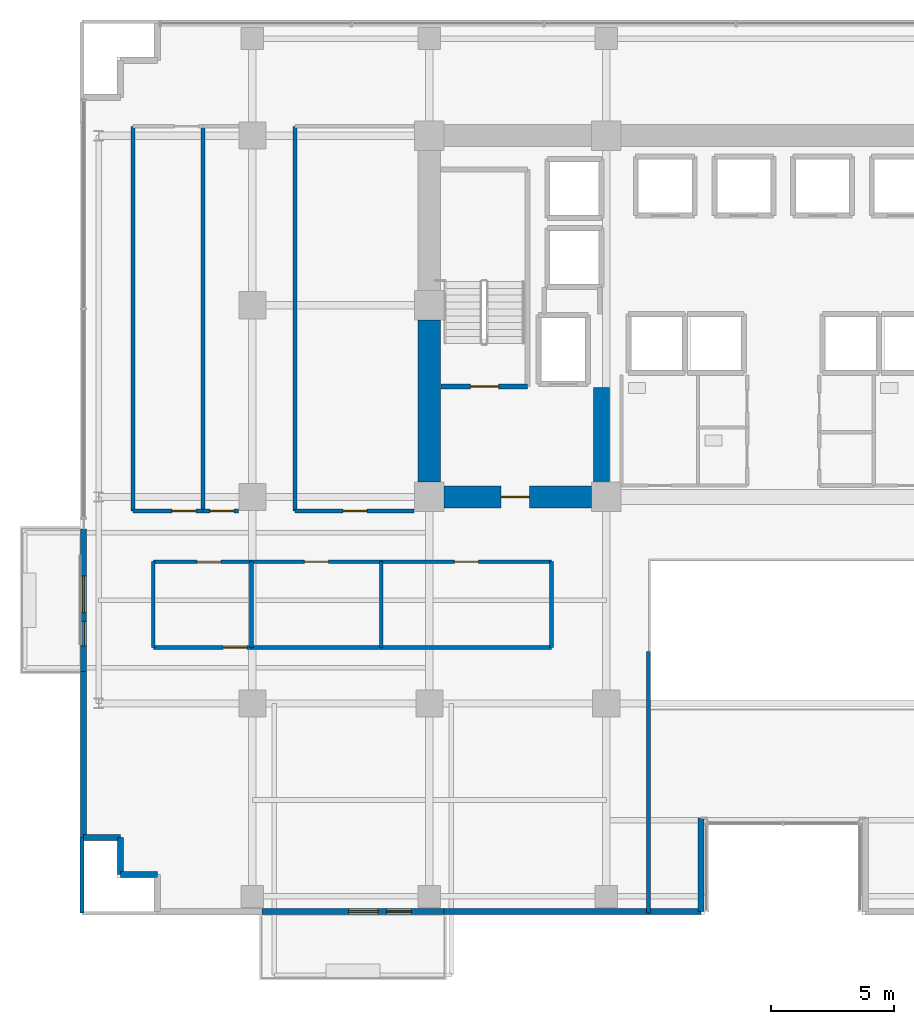
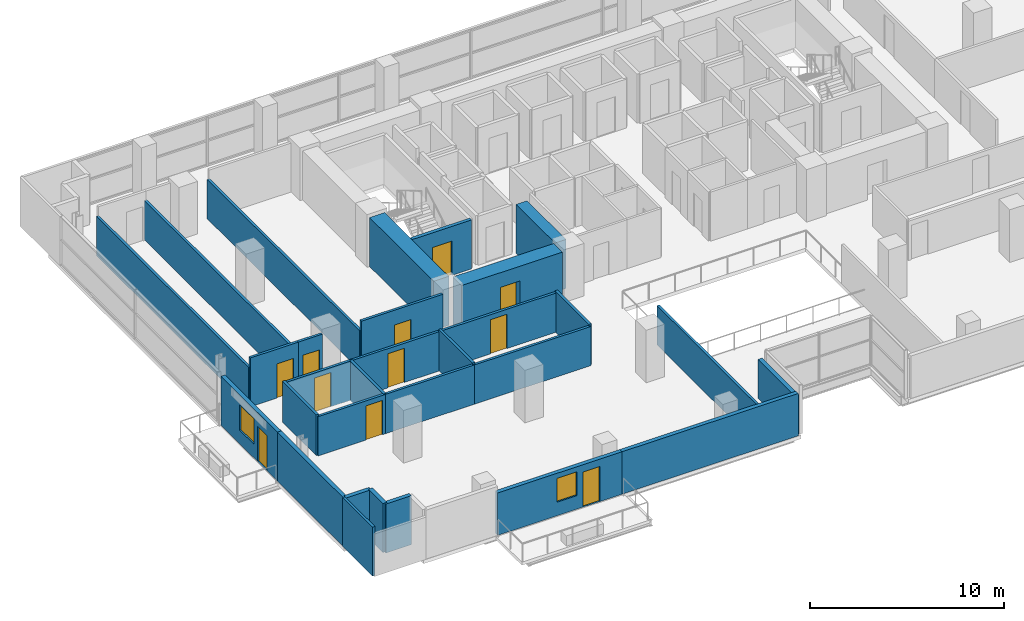
# One storey, part 24 of 31: 30 walls, 11 doors, 2 windows, 13 openings.
"""IFC4 building model written with IfcOpenShell, lengths in metres."""

from ifc_helpers import new_model, si_unit, direction, frame, frame_2d, origin, place, context, subcontext, project, spatial, rectangle, extrude, source, transform, mapped, material, layer, layer_set, type_object, element, fill, save


model = new_model("IFC4")

# Units and contexts
model_context = context("Model", 3, precision=1e-05, world=origin(), true_north=direction((0.0, 1.0)))
body_context = subcontext(model_context, "Body", "Model", "MODEL_VIEW")
ifc_project = project(units=[si_unit("LENGTHUNIT", "METRE"), si_unit("AREAUNIT", "SQUARE_METRE"), si_unit("VOLUMEUNIT", "CUBIC_METRE"), si_unit("PLANEANGLEUNIT", "RADIAN"), si_unit("MASSUNIT", "GRAM", prefix="KILO")], contexts=[model_context])

# Site, building, storey
site_placement = place(None, origin())
site = spatial("IfcSite", under=ifc_project, at=site_placement, CompositionType="ELEMENT")
building_placement = place(site_placement, origin())
building = spatial("IfcBuilding", under=site, at=building_placement, Name="Zarnakvel Exchange Tower", CompositionType="ELEMENT")
storey_placement = place(building_placement, frame((0.0, 0.0, 67.0)))
storey = spatial("IfcBuildingStorey", under=building, at=storey_placement, Name="L18", CompositionType="ELEMENT", Elevation=67.0)

# Wall
ifc_material_1 = material(Name="Concrete C80/95", Category="concrete")
ifc_layer_1 = layer(ifc_material_1, 0.89990234375)
ifc_layer_set_1 = layer_set([ifc_layer_1], Name="Concrete C80/95")
wall_type_1 = type_object("IfcWallType", Name="CW-C1", PredefinedType="SHEAR", material=ifc_layer_set_1)
wall_1_placement = place(storey_placement, frame((-14.39990234375, -0.60009765625, 0.0), z_axis=(0.0, 0.0, 1.0), x_axis=(0.0, 1.0, 0.0)))
element("IfcWall", 1, at=wall_1_placement, inside=storey, type_object=wall_type_1, Name="L18 Rear Core Shear Wall W1 (CW-C1)", PredefinedType="SHEAR", context=body_context, shape_type="SweptSolid", body=[
    extrude(rectangle(XDim=6.60009765625, YDim=0.89990234375, at=frame_2d((3.300048828125, 0.0))), origin(), (0.0, 0.0, 1.0), 3.074951171875),
])

# Wall, opening, door
wall_2_placement = place(storey_placement, frame((-7.800048828125, -1.199951171875, 0.0), z_axis=(0.0, 0.0, 1.0), x_axis=(-1.0, 0.0, 0.0)))
wall_2 = element("IfcWall", 2, at=wall_2_placement, inside=storey, type_object=wall_type_1, Name="L18 Rear Core Shear Wall SW (CW-C1)", PredefinedType="SHEAR", context=body_context, shape_type="SweptSolid", body=[
    extrude(rectangle(XDim=6.0, YDim=0.89990234375, at=frame_2d((3.0, 0.0))), origin(), (0.0, 0.0, 1.0), 3.074951171875),
])
opening_1_placement = place(wall_2_placement, frame((2.52490234375, 0.0, 0.0)))
opening_1 = element("IfcOpeningElement", 3, at=opening_1_placement, cuts=wall_2, Name="Opening D-L18-03", PredefinedType="OPENING", context=body_context, shape_type="SweptSolid", body=[
    extrude(rectangle(XDim=1.14990234375, YDim=2.14990234375, at=frame_2d((0.574951171875, 1.074951171875))), frame((0.0, 0.4599609375, 0.0), z_axis=(0.0, -1.0, 0.0), x_axis=(1.0, 0.0, 0.0)), (0.0, 0.0, 1.0), 0.919921875),
])
ifc_material_2 = material(Name="Painted Galvanised Steel S355", Category="steel")
door_type_1 = type_object("IfcDoorType", Name="DT-04", OperationType="NOTDEFINED", PredefinedType="DOOR", material=ifc_material_2)
shared_shape_1 = source(origin(), body_context, "Body", "SweptSolid", [
    extrude(rectangle(XDim=1.14990234375, YDim=2.14990234375, at=frame_2d((0.574951171875, 1.074951171875))), frame((0.0, 0.02490234375, 0.0), z_axis=(0.0, -1.0, 0.0), x_axis=(1.0, 0.0, 0.0)), (0.0, 0.0, 1.0), 0.050048828125),
])
door_1_placement = place(opening_1_placement, origin())
door_1 = element("IfcDoor", 4, at=door_1_placement, inside=storey, type_object=door_type_1, Name="L18 Firefighting Lobby West Door D-L18-03", OperationType="SINGLE_SWING_LEFT", OverallHeight=2.14990234375, OverallWidth=1.14990234375, PredefinedType="DOOR", context=body_context, shape_type="MappedRepresentation", body=[
    mapped(shared_shape_1, transform((0.0, 0.0, 0.0), x_axis=(1.0, 0.0, 0.0), y_axis=(0.0, 1.0, 0.0), z_axis=(0.0, 0.0, 1.0), scale=1.0)),
])
fill(opening_1, door_1)

# Wall
ifc_layer_2 = layer(ifc_material_1, 0.64990234375)
ifc_layer_set_2 = layer_set([ifc_layer_2], Name="Concrete C80/95")
wall_type_2 = type_object("IfcWallType", Name="CW-C2", PredefinedType="SHEAR", material=ifc_layer_set_2)
wall_3_placement = place(storey_placement, frame((-7.39990234375, -0.75, 0.0), z_axis=(0.0, 0.0, 1.0), x_axis=(0.0, 1.0, 0.0)))
element("IfcWall", 5, at=wall_3_placement, inside=storey, type_object=wall_type_2, Name="L18 Rear Core Shear Wall IW (CW-C2)", PredefinedType="SHEAR", context=body_context, shape_type="SweptSolid", body=[
    extrude(rectangle(XDim=4.0, YDim=0.64990234375, at=frame_2d((2.0, 0.0))), origin(), (0.0, 0.0, 1.0), 3.074951171875),
])

# Wall, openings, door, window
ifc_material_3 = material(Name="Precast concrete C40/50", Category="concrete")
ifc_layer_3 = layer(ifc_material_3, 0.239990234375)
ifc_layer_set_3 = layer_set([ifc_layer_3], Name="Precast concrete C40/50")
wall_type_3 = type_object("IfcWallType", Name="EW-02", PredefinedType="SOLIDWALL", material=ifc_layer_set_3)
wall_4_placement = place(storey_placement, frame((-13.800048828125, -18.06005859375, 0.0), z_axis=(0.0, 0.0, 1.0), x_axis=(-1.0, 0.0, 0.0)))
wall_4 = element("IfcWall", 6, at=wall_4_placement, inside=storey, type_object=wall_type_3, Name="L18 Exterior Precast Spandrel Wall EW-BAL-L18-SW (EW-02)", PredefinedType="SOLIDWALL", context=body_context, shape_type="SweptSolid", body=[
    extrude(rectangle(XDim=7.39990234375, YDim=0.239990234375, at=frame_2d((3.699951171875, 0.0))), origin(), (0.0, 0.0, 1.0), 2.6650390625),
])
opening_2_placement = place(wall_4_placement, frame((1.33203125, 0.0, 0.0)))
opening_2 = element("IfcOpeningElement", 7, at=opening_2_placement, cuts=wall_4, Name="Opening BD-L18-01", PredefinedType="OPENING", context=body_context, shape_type="SweptSolid", body=[
    extrude(rectangle(XDim=1.0, YDim=2.199951171875, at=frame_2d((0.5, 1.10009765625))), frame((0.0, 0.1298828125, 0.0), z_axis=(0.0, -1.0, 0.0), x_axis=(1.0, 0.0, 0.0)), (0.0, 0.0, 1.0), 0.260009765625),
])
opening_3_placement = place(wall_4_placement, frame((2.681884765625, 0.0, 0.85009765625)))
opening_3 = element("IfcOpeningElement", 8, at=opening_3_placement, cuts=wall_4, Name="Opening WN-04", PredefinedType="OPENING", context=body_context, shape_type="SweptSolid", body=[
    extrude(rectangle(XDim=1.199951171875, YDim=1.5, at=frame_2d((0.60009765625, 0.75))), frame((0.0, 0.1298828125, 0.0), z_axis=(0.0, -1.0, 0.0), x_axis=(1.0, 0.0, 0.0)), (0.0, 0.0, 1.0), 0.260009765625),
])
ifc_material_4 = material(Name="Architectural Bronze Anodised Aluminium", Category="aluminium")
door_type_2 = type_object("IfcDoorType", Name="DT-09", OperationType="NOTDEFINED", PredefinedType="DOOR", material=ifc_material_4)
shared_shape_2 = source(origin(), body_context, "Body", "SweptSolid", [
    extrude(rectangle(XDim=1.0, YDim=2.199951171875, at=frame_2d((0.5, 1.10009765625))), frame((0.0, 0.02490234375, 0.0), z_axis=(0.0, -1.0, 0.0), x_axis=(1.0, 0.0, 0.0)), (0.0, 0.0, 1.0), 0.050048828125),
])
door_2_placement = place(opening_2_placement, origin())
door_2 = element("IfcDoor", 9, at=door_2_placement, inside=storey, type_object=door_type_2, Name="L18 Planted Loggia Balcony Door BD-L18-01", OperationType="SINGLE_SWING_RIGHT", OverallHeight=2.199951171875, OverallWidth=1.0, PredefinedType="DOOR", context=body_context, shape_type="MappedRepresentation", body=[
    mapped(shared_shape_2, transform((0.0, 0.0, 0.0), x_axis=(1.0, 0.0, 0.0), y_axis=(0.0, 1.0, 0.0), z_axis=(0.0, 0.0, 1.0), scale=1.0)),
])
fill(opening_2, door_2)
ifc_material_5 = material(Name="Double Low-E Laminated Vision Glass", Category="glass")
window_type_1 = type_object("IfcWindowType", Name="WN-04", PartitioningType="SINGLE_PANEL", PredefinedType="WINDOW", material=ifc_material_5)
shared_shape_3 = source(origin(), body_context, "Body", "SweptSolid", [
    extrude(rectangle(XDim=1.199951171875, YDim=1.5, at=frame_2d((0.60009765625, 0.75))), frame((0.0, 0.030029296875, 0.0), z_axis=(0.0, -1.0, 0.0), x_axis=(1.0, 0.0, 0.0)), (0.0, 0.0, 1.0), 0.06005859375),
])
window_1_placement = place(opening_3_placement, origin())
window_1 = element("IfcWindow", 10, at=window_1_placement, inside=storey, type_object=window_type_1, Name="L18 Loggia Daylight Window (WN-04)", OverallHeight=1.5, OverallWidth=1.199951171875, PartitioningType="SINGLE_PANEL", PredefinedType="WINDOW", context=body_context, shape_type="MappedRepresentation", body=[
    mapped(shared_shape_3, transform((0.0, 0.0, 0.0), x_axis=(1.0, 0.0, 0.0), y_axis=(0.0, 1.0, 0.0), z_axis=(0.0, 0.0, 1.0), scale=1.0)),
])
fill(opening_3, window_1)

wall_5_placement = place(storey_placement, frame((-28.4599609375, -8.300048828125, 0.0), z_axis=(0.0, 0.0, 1.0), x_axis=(0.0, 1.0, 0.0)))
wall_5 = element("IfcWall", 11, at=wall_5_placement, inside=storey, type_object=wall_type_3, Name="L18 Exterior Precast Spandrel Wall EW-BAL-L18-W (EW-02)", PredefinedType="SOLIDWALL", context=body_context, shape_type="SweptSolid", body=[
    extrude(rectangle(XDim=5.800048828125, YDim=0.239990234375, at=frame_2d((2.89990234375, 0.0))), origin(), (0.0, 0.0, 1.0), 3.074951171875),
])
opening_4_placement = place(wall_5_placement, frame((1.0439453125, 0.0, 0.0)))
opening_4 = element("IfcOpeningElement", 12, at=opening_4_placement, cuts=wall_5, Name="Opening BD-L18-03", PredefinedType="OPENING", context=body_context, shape_type="SweptSolid", body=[
    extrude(rectangle(XDim=1.0, YDim=2.199951171875, at=frame_2d((0.5, 1.10009765625))), frame((0.0, 0.1298828125, 0.0), z_axis=(0.0, -1.0, 0.0), x_axis=(1.0, 0.0, 0.0)), (0.0, 0.0, 1.0), 0.260009765625),
])
opening_5_placement = place(wall_5_placement, frame((2.39404296875, 0.0, 0.85009765625)))
opening_5 = element("IfcOpeningElement", 13, at=opening_5_placement, cuts=wall_5, Name="Opening WN-03", PredefinedType="OPENING", context=body_context, shape_type="SweptSolid", body=[
    extrude(rectangle(XDim=1.5, YDim=1.60009765625, at=frame_2d((0.75, 0.800048828125))), frame((0.0, 0.1298828125, 0.0), z_axis=(0.0, -1.0, 0.0), x_axis=(1.0, 0.0, 0.0)), (0.0, 0.0, 1.0), 0.260009765625),
])
door_3_placement = place(opening_4_placement, origin())
door_3 = element("IfcDoor", 14, at=door_3_placement, inside=storey, type_object=door_type_2, Name="L18 Planted Loggia Balcony Door BD-L18-03", OperationType="SINGLE_SWING_RIGHT", OverallHeight=2.199951171875, OverallWidth=1.0, PredefinedType="DOOR", context=body_context, shape_type="MappedRepresentation", body=[
    mapped(shared_shape_2, transform((0.0, 0.0, 0.0), x_axis=(1.0, 0.0, 0.0), y_axis=(0.0, 1.0, 0.0), z_axis=(0.0, 0.0, 1.0), scale=1.0)),
])
fill(opening_4, door_3)
window_type_2 = type_object("IfcWindowType", Name="WN-03", PartitioningType="SINGLE_PANEL", PredefinedType="WINDOW", material=ifc_material_5)
shared_shape_4 = source(origin(), body_context, "Body", "SweptSolid", [
    extrude(rectangle(XDim=1.5, YDim=1.60009765625, at=frame_2d((0.75, 0.800048828125))), frame((0.0, 0.030029296875, 0.0), z_axis=(0.0, -1.0, 0.0), x_axis=(1.0, 0.0, 0.0)), (0.0, 0.0, 1.0), 0.06005859375),
])
window_2_placement = place(opening_5_placement, origin())
window_2 = element("IfcWindow", 15, at=window_2_placement, inside=storey, type_object=window_type_2, Name="L18 Loggia Daylight Window (WN-03)", OverallHeight=1.60009765625, OverallWidth=1.5, PartitioningType="SINGLE_PANEL", PredefinedType="WINDOW", context=body_context, shape_type="MappedRepresentation", body=[
    mapped(shared_shape_4, transform((0.0, 0.0, 0.0), x_axis=(1.0, 0.0, 0.0), y_axis=(0.0, 1.0, 0.0), z_axis=(0.0, 0.0, 1.0), scale=1.0)),
])
fill(opening_5, window_2)

# Walls
wall_6_placement = place(storey_placement, frame((-28.4599609375, -8.300048828125, 0.0), z_axis=(0.0, 0.0, 1.0), x_axis=(0.0, -1.0, 0.0)))
element("IfcWall", 16, at=wall_6_placement, inside=storey, type_object=wall_type_3, Name="L18 Exterior Precast Spandrel Wall EWC-L18-01 (EW-02)", PredefinedType="SOLIDWALL", context=body_context, shape_type="SweptSolid", body=[
    extrude(rectangle(XDim=6.760009765625, YDim=0.239990234375, at=frame_2d((3.3798828125, 0.0))), origin(), (0.0, 0.0, 1.0), 3.074951171875),
])
wall_7_placement = place(storey_placement, frame((-3.340087890625, -18.06005859375, 0.0), z_axis=(0.0, 0.0, 1.0), x_axis=(0.0, 1.0, 0.0)))
element("IfcWall", 17, at=wall_7_placement, inside=storey, type_object=wall_type_3, Name="L18 Exterior Precast Spandrel Wall EWC-L18-20 (EW-02)", PredefinedType="SOLIDWALL", context=body_context, shape_type="SweptSolid", body=[
    extrude(rectangle(XDim=3.800048828125, YDim=0.239990234375, at=frame_2d((1.89990234375, 0.0))), origin(), (0.0, 0.0, 1.0), 2.465087890625),
])
wall_8_placement = place(storey_placement, frame((-13.800048828125, -18.06005859375, 0.0), z_axis=(0.0, 0.0, 1.0), x_axis=(1.0, 0.0, 0.0)))
element("IfcWall", 18, at=wall_8_placement, inside=storey, type_object=wall_type_3, Name="L18 Exterior Precast Spandrel Wall EWC-L18-21 (EW-02)", PredefinedType="SOLIDWALL", context=body_context, shape_type="SweptSolid", body=[
    extrude(rectangle(XDim=10.4599609375, YDim=0.239990234375, at=frame_2d((5.22998046875, 0.0))), origin(), (0.0, 0.0, 1.0), 2.6650390625),
])
for number, where, z_axis, x_axis, name in (
    (19, (-26.9599609375, -16.56005859375, 0.0), (0.0, 0.0, 1.0), (1.0, 0.0, 0.0), "L18 Exterior Precast Spandrel Wall EWC-L18-24 (EW-02)"),
    (20, (-26.9599609375, -15.06005859375, 0.0), (0.0, 0.0, 1.0), (0.0, -1.0, 0.0), "L18 Exterior Precast Spandrel Wall EWC-L18-25 (EW-02)"),
    (21, (-28.4599609375, -15.06005859375, 0.0), (0.0, 0.0, 1.0), (1.0, 0.0, 0.0), "L18 Exterior Precast Spandrel Wall EWC-L18-26 (EW-02)"),
):
    element("IfcWall", number, at=place(storey_placement, frame(where, z_axis=z_axis, x_axis=x_axis)), inside=storey, type_object=wall_type_3, Name=name, PredefinedType="SOLIDWALL", context=body_context, shape_type="SweptSolid", body=[
        extrude(rectangle(XDim=1.5, YDim=0.239990234375, at=frame_2d((0.75, 0.0))), origin(), (0.0, 0.0, 1.0), 3.074951171875),
    ])

# Wall, opening, door
ifc_material_6 = material(Name="Fire-Rated Gypsum Stud Partition", Category="gypsum")
ifc_layer_4 = layer(ifc_material_6, 0.14990234375)
ifc_layer_set_4 = layer_set([ifc_layer_4], Name="Fire-Rated Gypsum Stud Partition")
wall_type_4 = type_object("IfcWallType", Name="PT-01", PredefinedType="PARTITIONING", material=ifc_layer_set_4)
wall_9_placement = place(storey_placement, frame((-21.630126953125, -7.320068359375, 0.0), z_axis=(0.0, 0.0, 1.0), x_axis=(-1.0, 0.0, 0.0)))
wall_9 = element("IfcWall", 22, at=wall_9_placement, inside=storey, type_object=wall_type_4, Name="L18 Partition Wall PWALL-L18-026 (PT-01)", PredefinedType="PARTITIONING", context=body_context, shape_type="SweptSolid", body=[
    extrude(rectangle(XDim=3.998291015625, YDim=0.14990234375, at=frame_2d((1.9990234375, 0.0))), origin(), (0.0, 0.0, 1.0), 2.465087890625),
])
opening_6_placement = place(wall_9_placement, frame((0.179931640625, 0.0, 0.0)))
opening_6 = element("IfcOpeningElement", 23, at=opening_6_placement, cuts=wall_9, Name="Opening D-L18-14", PredefinedType="OPENING", context=body_context, shape_type="SweptSolid", body=[
    extrude(rectangle(XDim=0.97998046875, YDim=2.14990234375, at=frame_2d((0.489990234375, 1.074951171875))), frame((0.0, 0.0849609375, 0.0), z_axis=(0.0, -1.0, 0.0), x_axis=(1.0, 0.0, 0.0)), (0.0, 0.0, 1.0), 0.169921875),
])
ifc_material_7 = material(Name="Timber Acoustic Veneer", Category="wood")
door_type_3 = type_object("IfcDoorType", Name="DT-05", OperationType="NOTDEFINED", PredefinedType="DOOR", material=ifc_material_7)
shared_shape_5 = source(origin(), body_context, "Body", "SweptSolid", [
    extrude(rectangle(XDim=0.97998046875, YDim=2.14990234375, at=frame_2d((0.489990234375, 1.074951171875))), frame((0.0, 0.02490234375, 0.0), z_axis=(0.0, -1.0, 0.0), x_axis=(1.0, 0.0, 0.0)), (0.0, 0.0, 1.0), 0.050048828125),
])
door_4_placement = place(opening_6_placement, origin())
door_4 = element("IfcDoor", 24, at=door_4_placement, inside=storey, type_object=door_type_3, Name="L18 Equities Trading Floor Door D-L18-14", OperationType="SINGLE_SWING_RIGHT", OverallHeight=2.14990234375, OverallWidth=0.97998046875, PredefinedType="DOOR", context=body_context, shape_type="MappedRepresentation", body=[
    mapped(shared_shape_5, transform((0.0, 0.0, 0.0), x_axis=(1.0, 0.0, 0.0), y_axis=(0.0, 1.0, 0.0), z_axis=(0.0, 0.0, 1.0), scale=1.0)),
])
fill(opening_6, door_4)

wall_10_placement = place(storey_placement, frame((-25.62841796875, -3.830078125, 0.0), z_axis=(0.0, 0.0, 1.0), x_axis=(1.0, 0.0, 0.0)))
wall_10 = element("IfcWall", 25, at=wall_10_placement, inside=storey, type_object=wall_type_4, Name="L18 Partition Wall PWALL-L18-027 (PT-01)", PredefinedType="PARTITIONING", context=body_context, shape_type="SweptSolid", body=[
    extrude(rectangle(XDim=3.998291015625, YDim=0.14990234375, at=frame_2d((1.9990234375, 0.0))), origin(), (0.0, 0.0, 1.0), 2.465087890625),
])
opening_7_placement = place(wall_10_placement, frame((1.783447265625, 0.0, 0.0)))
opening_7 = element("IfcOpeningElement", 26, at=opening_7_placement, cuts=wall_10, Name="Opening D-L18-11", PredefinedType="OPENING", context=body_context, shape_type="SweptSolid", body=[
    extrude(rectangle(XDim=0.97998046875, YDim=2.14990234375, at=frame_2d((0.489990234375, 1.074951171875))), frame((0.0, 0.0849609375, 0.0), z_axis=(0.0, -1.0, 0.0), x_axis=(1.0, 0.0, 0.0)), (0.0, 0.0, 1.0), 0.169921875),
])
door_5_placement = place(opening_7_placement, origin())
door_5 = element("IfcDoor", 27, at=door_5_placement, inside=storey, type_object=door_type_3, Name="L18 Asset Management Office Door D-L18-11", OperationType="SINGLE_SWING_LEFT", OverallHeight=2.14990234375, OverallWidth=0.97998046875, PredefinedType="DOOR", context=body_context, shape_type="MappedRepresentation", body=[
    mapped(shared_shape_5, transform((0.0, 0.0, 0.0), x_axis=(1.0, 0.0, 0.0), y_axis=(0.0, 1.0, 0.0), z_axis=(0.0, 0.0, 1.0), scale=1.0)),
])
fill(opening_7, door_5)

# Walls
wall_11_placement = place(storey_placement, frame((-25.62841796875, -7.320068359375, 0.0), z_axis=(0.0, 0.0, 1.0), x_axis=(0.0, 1.0, 0.0)))
element("IfcWall", 28, at=wall_11_placement, inside=storey, type_object=wall_type_4, Name="L18 Partition Wall PWALL-L18-028 (PT-01)", PredefinedType="PARTITIONING", context=body_context, shape_type="SweptSolid", body=[
    extrude(rectangle(XDim=3.489990234375, YDim=0.14990234375, at=frame_2d((1.7451171875, 0.0))), origin(), (0.0, 0.0, 1.0), 2.56494140625),
])
wall_12_placement = place(storey_placement, frame((-21.630126953125, -3.830078125, 0.0), z_axis=(0.0, 0.0, 1.0), x_axis=(0.0, -1.0, 0.0)))
element("IfcWall", 29, at=wall_12_placement, inside=storey, type_object=wall_type_4, Name="L18 Partition Wall PWALL-L18-029 (PT-01)", PredefinedType="PARTITIONING", context=body_context, shape_type="SweptSolid", body=[
    extrude(rectangle(XDim=3.489990234375, YDim=0.14990234375, at=frame_2d((1.7451171875, 0.0))), origin(), (0.0, 0.0, 1.0), 2.465087890625),
])
wall_13_placement = place(storey_placement, frame((-16.3525390625, -7.320068359375, 0.0), z_axis=(0.0, 0.0, 1.0), x_axis=(-1.0, 0.0, 0.0)))
element("IfcWall", 30, at=wall_13_placement, inside=storey, type_object=wall_type_4, Name="L18 Partition Wall PWALL-L18-030 (PT-01)", PredefinedType="PARTITIONING", context=body_context, shape_type="SweptSolid", body=[
    extrude(rectangle(XDim=5.277587890625, YDim=0.14990234375, at=frame_2d((2.638671875, 0.0))), origin(), (0.0, 0.0, 1.0), 2.465087890625),
])

# Wall, opening, door
wall_14_placement = place(storey_placement, frame((-21.630126953125, -3.830078125, 0.0), z_axis=(0.0, 0.0, 1.0), x_axis=(1.0, 0.0, 0.0)))
wall_14 = element("IfcWall", 31, at=wall_14_placement, inside=storey, type_object=wall_type_4, Name="L18 Partition Wall PWALL-L18-031 (PT-01)", PredefinedType="PARTITIONING", context=body_context, shape_type="SweptSolid", body=[
    extrude(rectangle(XDim=5.277587890625, YDim=0.14990234375, at=frame_2d((2.638671875, 0.0))), origin(), (0.0, 0.0, 1.0), 2.465087890625),
])
opening_8_placement = place(wall_14_placement, frame((2.149169921875, 0.0, 0.0)))
opening_8 = element("IfcOpeningElement", 32, at=opening_8_placement, cuts=wall_14, Name="Opening D-L18-12", PredefinedType="OPENING", context=body_context, shape_type="SweptSolid", body=[
    extrude(rectangle(XDim=0.97998046875, YDim=2.14990234375, at=frame_2d((0.489990234375, 1.074951171875))), frame((0.0, 0.0849609375, 0.0), z_axis=(0.0, -1.0, 0.0), x_axis=(1.0, 0.0, 0.0)), (0.0, 0.0, 1.0), 0.169921875),
])
door_6_placement = place(opening_8_placement, origin())
door_6 = element("IfcDoor", 33, at=door_6_placement, inside=storey, type_object=door_type_3, Name="L18 Meeting Room Door D-L18-12", OperationType="SINGLE_SWING_RIGHT", OverallHeight=2.14990234375, OverallWidth=0.97998046875, PredefinedType="DOOR", context=body_context, shape_type="MappedRepresentation", body=[
    mapped(shared_shape_5, transform((0.0, 0.0, 0.0), x_axis=(1.0, 0.0, 0.0), y_axis=(0.0, 1.0, 0.0), z_axis=(0.0, 0.0, 1.0), scale=1.0)),
])
fill(opening_8, door_6)

# Walls
wall_15_placement = place(storey_placement, frame((-16.3525390625, -3.830078125, 0.0), z_axis=(0.0, 0.0, 1.0), x_axis=(0.0, -1.0, 0.0)))
element("IfcWall", 34, at=wall_15_placement, inside=storey, type_object=wall_type_4, Name="L18 Partition Wall PWALL-L18-032 (PT-01)", PredefinedType="PARTITIONING", context=body_context, shape_type="SweptSolid", body=[
    extrude(rectangle(XDim=3.489990234375, YDim=0.14990234375, at=frame_2d((1.7451171875, 0.0))), origin(), (0.0, 0.0, 1.0), 2.56494140625),
])
wall_16_placement = place(storey_placement, frame((-9.429931640625, -7.320068359375, 0.0), z_axis=(0.0, 0.0, 1.0), x_axis=(-1.0, 0.0, 0.0)))
element("IfcWall", 35, at=wall_16_placement, inside=storey, type_object=wall_type_4, Name="L18 Partition Wall PWALL-L18-033 (PT-01)", PredefinedType="PARTITIONING", context=body_context, shape_type="SweptSolid", body=[
    extrude(rectangle(XDim=6.922607421875, YDim=0.14990234375, at=frame_2d((3.46142578125, 0.0))), origin(), (0.0, 0.0, 1.0), 2.465087890625),
])

# Wall, opening, door
wall_17_placement = place(storey_placement, frame((-16.3525390625, -3.830078125, 0.0), z_axis=(0.0, 0.0, 1.0), x_axis=(1.0, 0.0, 0.0)))
wall_17 = element("IfcWall", 36, at=wall_17_placement, inside=storey, type_object=wall_type_4, Name="L18 Partition Wall PWALL-L18-034 (PT-01)", PredefinedType="PARTITIONING", context=body_context, shape_type="SweptSolid", body=[
    extrude(rectangle(XDim=6.922607421875, YDim=0.14990234375, at=frame_2d((3.46142578125, 0.0))), origin(), (0.0, 0.0, 1.0), 2.465087890625),
])
opening_9_placement = place(wall_17_placement, frame((2.9716796875, 0.0, 0.0)))
opening_9 = element("IfcOpeningElement", 37, at=opening_9_placement, cuts=wall_17, Name="Opening D-L18-13", PredefinedType="OPENING", context=body_context, shape_type="SweptSolid", body=[
    extrude(rectangle(XDim=0.97998046875, YDim=2.14990234375, at=frame_2d((0.489990234375, 1.074951171875))), frame((0.0, 0.0849609375, 0.0), z_axis=(0.0, -1.0, 0.0), x_axis=(1.0, 0.0, 0.0)), (0.0, 0.0, 1.0), 0.169921875),
])
door_7_placement = place(opening_9_placement, origin())
door_7 = element("IfcDoor", 38, at=door_7_placement, inside=storey, type_object=door_type_3, Name="L18 Executive Office Door D-L18-13", OperationType="SINGLE_SWING_LEFT", OverallHeight=2.14990234375, OverallWidth=0.97998046875, PredefinedType="DOOR", context=body_context, shape_type="MappedRepresentation", body=[
    mapped(shared_shape_5, transform((0.0, 0.0, 0.0), x_axis=(1.0, 0.0, 0.0), y_axis=(0.0, 1.0, 0.0), z_axis=(0.0, 0.0, 1.0), scale=1.0)),
])
fill(opening_9, door_7)

# Walls
wall_18_placement = place(storey_placement, frame((-9.429931640625, -3.830078125, 0.0), z_axis=(0.0, 0.0, 1.0), x_axis=(0.0, -1.0, 0.0)))
element("IfcWall", 39, at=wall_18_placement, inside=storey, type_object=wall_type_4, Name="L18 Partition Wall PWALL-L18-035 (PT-01)", PredefinedType="PARTITIONING", context=body_context, shape_type="SweptSolid", body=[
    extrude(rectangle(XDim=3.489990234375, YDim=0.14990234375, at=frame_2d((1.7451171875, 0.0))), origin(), (0.0, 0.0, 1.0), 2.56494140625),
])
wall_19_placement = place(storey_placement, frame((-28.530029296875, -18.1298828125, 0.0), z_axis=(0.0, 0.0, 1.0), x_axis=(0.0, 1.0, 0.0)))
element("IfcWall", 40, at=wall_19_placement, inside=storey, type_object=wall_type_4, Name="L18 Partition Wall PWALL-L18-037 (PT-01)", PredefinedType="PARTITIONING", context=body_context, shape_type="SweptSolid", body=[
    extrude(rectangle(XDim=3.06982421875, YDim=0.14990234375, at=frame_2d((1.534912109375, 0.0))), origin(), (0.0, 0.0, 1.0), 3.074951171875),
])
wall_20_placement = place(storey_placement, frame((-5.47998046875, -7.47998046875, 0.0), z_axis=(0.0, 0.0, 1.0), x_axis=(0.0, -1.0, 0.0)))
element("IfcWall", 41, at=wall_20_placement, inside=storey, type_object=wall_type_4, Name="L18 Partition Wall PWALL-L18-038 (PT-01)", PredefinedType="PARTITIONING", context=body_context, shape_type="SweptSolid", body=[
    extrude(rectangle(XDim=10.64990234375, YDim=0.14990234375, at=frame_2d((5.324951171875, 0.0))), origin(), (0.0, 0.0, 1.0), 2.465087890625),
])

# Wall, opening, door
wall_21_placement = place(storey_placement, frame((-23.60498046875, -1.77001953125, 0.0), z_axis=(0.0, 0.0, 1.0), x_axis=(-1.0, 0.0, 0.0)))
wall_21 = element("IfcWall", 42, at=wall_21_placement, inside=storey, type_object=wall_type_4, Name="L18 Partition Wall PWALL-L18-049 (PT-01)", PredefinedType="PARTITIONING", context=body_context, shape_type="SweptSolid", body=[
    extrude(rectangle(XDim=2.84619140625, YDim=0.14990234375, at=frame_2d((1.423095703125, 0.0))), origin(), (0.0, 0.0, 1.0), 3.074951171875),
])
opening_10_placement = place(wall_21_placement, frame((0.2900390625, 0.0, 0.0)))
opening_10 = element("IfcOpeningElement", 43, at=opening_10_placement, cuts=wall_21, Name="Opening D-L18-18", PredefinedType="OPENING", context=body_context, shape_type="SweptSolid", body=[
    extrude(rectangle(XDim=0.97998046875, YDim=2.14990234375, at=frame_2d((0.489990234375, 1.074951171875))), frame((0.0, 0.0849609375, 0.0), z_axis=(0.0, -1.0, 0.0), x_axis=(1.0, 0.0, 0.0)), (0.0, 0.0, 1.0), 0.169921875),
])
door_8_placement = place(opening_10_placement, origin())
door_8 = element("IfcDoor", 44, at=door_8_placement, inside=storey, type_object=door_type_3, Name="L18 Staff Pantry Door D-L18-18", OperationType="SINGLE_SWING_RIGHT", OverallHeight=2.14990234375, OverallWidth=0.97998046875, PredefinedType="DOOR", context=body_context, shape_type="MappedRepresentation", body=[
    mapped(shared_shape_5, transform((0.0, 0.0, 0.0), x_axis=(1.0, 0.0, 0.0), y_axis=(0.0, 1.0, 0.0), z_axis=(0.0, 0.0, 1.0), scale=1.0)),
])
fill(opening_10, door_8)

# Walls
for number, where, z_axis, x_axis, name in (
    (45, (-26.451171875, -1.77001953125, 0.0), (0.0, 0.0, 1.0), (0.0, 1.0, 0.0), "L18 Partition Wall PWALL-L18-051 (PT-01)"),
    (46, (-23.60498046875, 13.8798828125, 0.0), (0.0, 0.0, 1.0), (0.0, -1.0, 0.0), "L18 Partition Wall PWALL-L18-052 (PT-01)"),
):
    element("IfcWall", number, at=place(storey_placement, frame(where, z_axis=z_axis, x_axis=x_axis)), inside=storey, type_object=wall_type_4, Name=name, PredefinedType="PARTITIONING", context=body_context, shape_type="SweptSolid", body=[
        extrude(rectangle(XDim=15.64990234375, YDim=0.14990234375, at=frame_2d((7.824951171875, 0.0))), origin(), (0.0, 0.0, 1.0), 2.465087890625),
    ])

# Wall, opening, door
wall_22_placement = place(storey_placement, frame((-22.169921875, -1.77001953125, 0.0), z_axis=(0.0, 0.0, 1.0), x_axis=(-1.0, 0.0, 0.0)))
wall_22 = element("IfcWall", 47, at=wall_22_placement, inside=storey, type_object=wall_type_4, Name="L18 Partition Wall PWALL-L18-053 (PT-01)", PredefinedType="PARTITIONING", context=body_context, shape_type="SweptSolid", body=[
    extrude(rectangle(XDim=1.43505859375, YDim=0.14990234375, at=frame_2d((0.717529296875, 0.0))), origin(), (0.0, 0.0, 1.0), 3.074951171875),
])
opening_11_placement = place(wall_22_placement, frame((0.179931640625, 0.0, 0.0)))
opening_11 = element("IfcOpeningElement", 48, at=opening_11_placement, cuts=wall_22, Name="Opening D-L18-19", PredefinedType="OPENING", context=body_context, shape_type="SweptSolid", body=[
    extrude(rectangle(XDim=0.97998046875, YDim=2.14990234375, at=frame_2d((0.489990234375, 1.074951171875))), frame((0.0, 0.0849609375, 0.0), z_axis=(0.0, -1.0, 0.0), x_axis=(1.0, 0.0, 0.0)), (0.0, 0.0, 1.0), 0.169921875),
])
door_9_placement = place(opening_11_placement, origin())
door_9 = element("IfcDoor", 49, at=door_9_placement, inside=storey, type_object=door_type_3, Name="L18 Risk Analytics Suite Door D-L18-19", OperationType="SINGLE_SWING_LEFT", OverallHeight=2.14990234375, OverallWidth=0.97998046875, PredefinedType="DOOR", context=body_context, shape_type="MappedRepresentation", body=[
    mapped(shared_shape_5, transform((0.0, 0.0, 0.0), x_axis=(1.0, 0.0, 0.0), y_axis=(0.0, 1.0, 0.0), z_axis=(0.0, 0.0, 1.0), scale=1.0)),
])
fill(opening_11, door_9)

# Wall
wall_23_placement = place(storey_placement, frame((-19.863037109375, 13.8798828125, 0.0), z_axis=(0.0, 0.0, 1.0), x_axis=(0.0, -1.0, 0.0)))
element("IfcWall", 50, at=wall_23_placement, inside=storey, type_object=wall_type_4, Name="L18 Partition Wall PWALL-L18-055 (PT-01)", PredefinedType="PARTITIONING", context=body_context, shape_type="SweptSolid", body=[
    extrude(rectangle(XDim=15.64990234375, YDim=0.14990234375, at=frame_2d((7.824951171875, 0.0))), origin(), (0.0, 0.0, 1.0), 2.465087890625),
])

# Wall, opening, door
wall_24_placement = place(storey_placement, frame((-15.02001953125, -1.77001953125, 0.0), z_axis=(0.0, 0.0, 1.0), x_axis=(-1.0, 0.0, 0.0)))
wall_24 = element("IfcWall", 51, at=wall_24_placement, inside=storey, type_object=wall_type_4, Name="L18 Partition Wall PWALL-L18-056 (PT-01)", PredefinedType="PARTITIONING", context=body_context, shape_type="SweptSolid", body=[
    extrude(rectangle(XDim=4.843017578125, YDim=0.14990234375, at=frame_2d((2.42138671875, 0.0))), origin(), (0.0, 0.0, 1.0), 3.074951171875),
])
opening_12_placement = place(wall_24_placement, frame((1.906982421875, 0.0, 0.0)))
opening_12 = element("IfcOpeningElement", 52, at=opening_12_placement, cuts=wall_24, Name="Opening D-L18-20", PredefinedType="OPENING", context=body_context, shape_type="SweptSolid", body=[
    extrude(rectangle(XDim=0.97998046875, YDim=2.14990234375, at=frame_2d((0.489990234375, 1.074951171875))), frame((0.0, 0.0849609375, 0.0), z_axis=(0.0, -1.0, 0.0), x_axis=(1.0, 0.0, 0.0)), (0.0, 0.0, 1.0), 0.169921875),
])
door_10_placement = place(opening_12_placement, origin())
door_10 = element("IfcDoor", 53, at=door_10_placement, inside=storey, type_object=door_type_3, Name="L18 Members Lounge Door D-L18-20", OperationType="SINGLE_SWING_RIGHT", OverallHeight=2.14990234375, OverallWidth=0.97998046875, PredefinedType="DOOR", context=body_context, shape_type="MappedRepresentation", body=[
    mapped(shared_shape_5, transform((0.0, 0.0, 0.0), x_axis=(1.0, 0.0, 0.0), y_axis=(0.0, 1.0, 0.0), z_axis=(0.0, 0.0, 1.0), scale=1.0)),
])
fill(opening_12, door_10)

ifc_material_8 = material(Name="Concrete C40/50", Category="concrete")
ifc_layer_5 = layer(ifc_material_8, 0.199951171875)
ifc_layer_set_5 = layer_set([ifc_layer_5], Name="Concrete C40/50")
wall_type_5 = type_object("IfcWallType", Name="SW-02", PredefinedType="SOLIDWALL", material=ifc_layer_set_5)
wall_25_placement = place(storey_placement, frame((-10.409912109375, 3.2900390625, 0.0), z_axis=(0.0, 0.0, 1.0), x_axis=(-1.0, 0.0, 0.0)))
wall_25 = element("IfcWall", 54, at=wall_25_placement, inside=storey, type_object=wall_type_5, Name="L18 Stairwell Core Wall PWALL-L18-001 (SW-02)", PredefinedType="SOLIDWALL", context=body_context, shape_type="SweptSolid", body=[
    extrude(rectangle(XDim=3.52001953125, YDim=0.199951171875, at=frame_2d((1.760009765625, 0.0))), origin(), (0.0, 0.0, 1.0), 3.074951171875),
])
opening_13_placement = place(wall_25_placement, frame((1.1650390625, 0.0, 0.0)))
opening_13 = element("IfcOpeningElement", 55, at=opening_13_placement, cuts=wall_25, Name="Opening D-L18-01", PredefinedType="OPENING", context=body_context, shape_type="SweptSolid", body=[
    extrude(rectangle(XDim=1.14990234375, YDim=2.14990234375, at=frame_2d((0.574951171875, 1.074951171875))), frame((0.0, 0.10986328125, 0.0), z_axis=(0.0, -1.0, 0.0), x_axis=(1.0, 0.0, 0.0)), (0.0, 0.0, 1.0), 0.219970703125),
])
door_11_placement = place(opening_13_placement, origin())
door_11 = element("IfcDoor", 56, at=door_11_placement, inside=storey, type_object=door_type_1, Name="L18 Stairwell ST-01 Door D-L18-01", OperationType="SINGLE_SWING_LEFT", OverallHeight=2.14990234375, OverallWidth=1.14990234375, PredefinedType="DOOR", context=body_context, shape_type="MappedRepresentation", body=[
    mapped(shared_shape_1, transform((0.0, 0.0, 0.0), x_axis=(1.0, 0.0, 0.0), y_axis=(0.0, 1.0, 0.0), z_axis=(0.0, 0.0, 1.0), scale=1.0)),
])
fill(opening_13, door_11)

save(model, "model.ifc")
